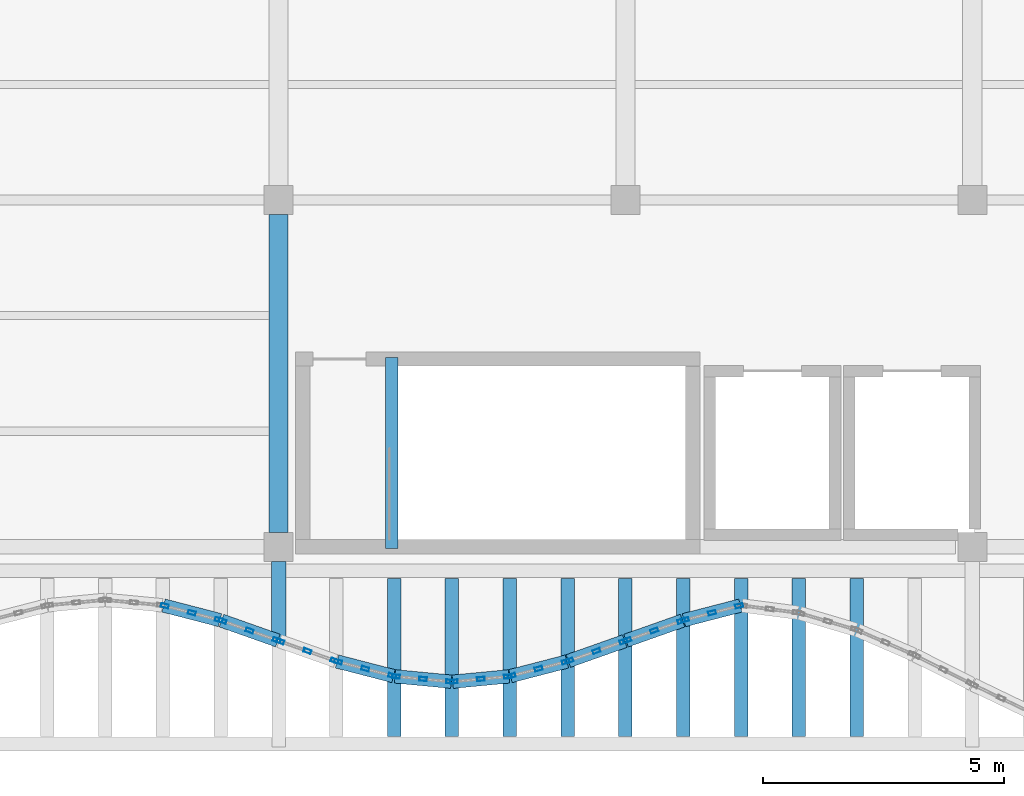
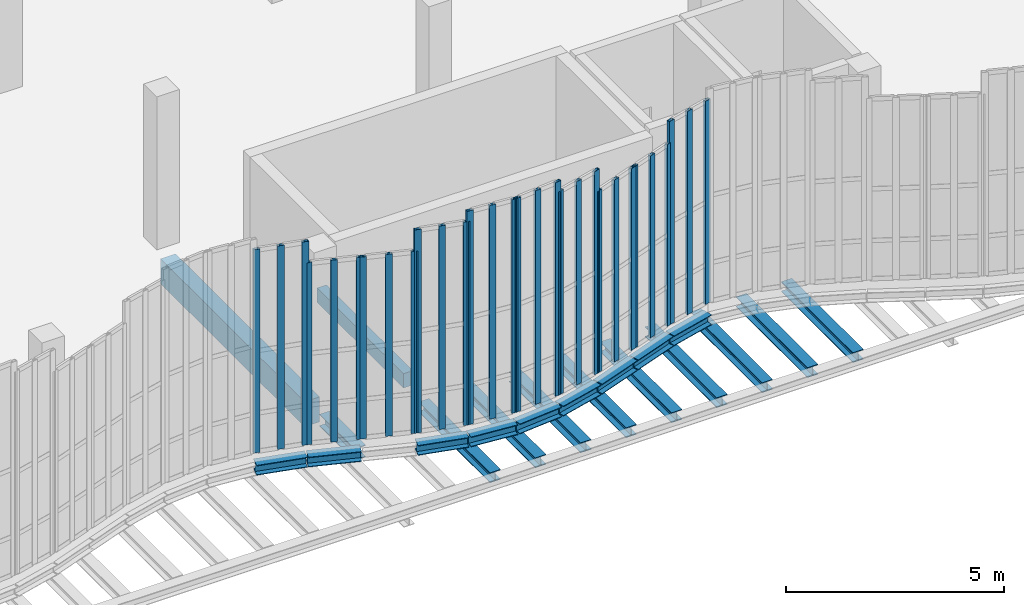
# One storey, part 11 of 76: 30 members, 21 beams, 10 elements without a shape of their own.
"""IFC4 building model written with IfcOpenShell, lengths in metres."""

from ifc_helpers import new_model, si_unit, direction, frame, origin, origin_2d, place, context, subcontext, project, spatial, rectangle, hollow_rectangle, i_section, extrude, material, layer, layer_set, material_profile, profile_set, type_object, element, aggregate, save


model = new_model("IFC4")

# Units and contexts
model_context = context("Model", 3, precision=1e-05, world=origin(), true_north=direction((0.0, 1.0)))
body_context = subcontext(model_context, "Body", "Model", "MODEL_VIEW")
ifc_project = project(units=[si_unit("LENGTHUNIT", "METRE"), si_unit("AREAUNIT", "SQUARE_METRE"), si_unit("VOLUMEUNIT", "CUBIC_METRE"), si_unit("PLANEANGLEUNIT", "RADIAN"), si_unit("MASSUNIT", "GRAM", prefix="KILO"), si_unit("THERMODYNAMICTEMPERATUREUNIT", "KELVIN"), si_unit("POWERUNIT", "WATT")], contexts=[model_context])

# Site, building, storey
site_placement = place(None, origin())
site = spatial("IfcSite", under=ifc_project, at=site_placement, CompositionType="ELEMENT")
building_placement = place(site_placement, origin())
building = spatial("IfcBuilding", under=site, at=building_placement, Name="Kaldorven Railside Theatre", CompositionType="ELEMENT")
storey_placement = place(building_placement, frame((0.0, 0.0, 14.39990234375)))
storey = spatial("IfcBuildingStorey", under=building, at=storey_placement, Name="L03", CompositionType="ELEMENT", Elevation=14.39990234375)

# Beams
ifc_material_1 = material(Name="Steel S355", Category="steel")
ifc_material_profile_1 = material_profile(ifc_material_1, i_section(OverallWidth=0.280029296875, OverallDepth=0.280029296875, WebThickness=0.010498046875, FlangeThickness=0.01806640625, at=origin_2d()), Name="HEB 280")
ifc_profile_set_1 = profile_set([ifc_material_profile_1], Name="Steel S355")
beam_type_1 = type_object("IfcBeamType", Name="BM-HEB280", PredefinedType="SPANDREL", material=ifc_profile_set_1)
beam_1_placement = place(storey_placement, frame((56.014404296875, 17.982421875, -0.419921875), z_axis=(0.967980555895, -0.25102518481, 0.0), x_axis=(0.25102518481, 0.967980555895, 0.0)))
element("IfcBeam", 1, at=beam_1_placement, inside=storey, type_object=beam_type_1, Name="L03 Sinusoidal Flute Edge Spandrel FSB-161", PredefinedType="SPANDREL", context=body_context, shape_type="SweptSolid", body=[
    extrude(i_section(OverallWidth=0.280029296875, OverallDepth=0.280029296875, WebThickness=0.010498046875, FlangeThickness=0.01806640625, at=origin_2d()), origin(), (0.0, 0.0, 1.0), 1.2099609375),
])
beam_2_placement = place(storey_placement, frame((57.214111328125, 17.669921875, -0.419921875), z_axis=(0.942627225161, -0.333847142245, 0.0), x_axis=(0.333847142245, 0.942627225161, 0.0)))
element("IfcBeam", 2, at=beam_2_placement, inside=storey, type_object=beam_type_1, Name="L03 Sinusoidal Flute Edge Spandrel FSB-162", PredefinedType="SPANDREL", context=body_context, shape_type="SweptSolid", body=[
    extrude(i_section(OverallWidth=0.280029296875, OverallDepth=0.280029296875, WebThickness=0.010498046875, FlangeThickness=0.01806640625, at=origin_2d()), origin(), (0.0, 0.0, 1.0), 1.2431640625),
])
beam_3_placement = place(storey_placement, frame((59.614501953125, 16.8212890625, -0.419921875), z_axis=(0.967967836725, -0.251074226206, 0.0), x_axis=(0.251074226206, 0.967967836725, 0.0)))
element("IfcBeam", 3, at=beam_3_placement, inside=storey, type_object=beam_type_1, Name="L03 Sinusoidal Flute Edge Spandrel FSB-164", PredefinedType="SPANDREL", context=body_context, shape_type="SweptSolid", body=[
    extrude(i_section(OverallWidth=0.280029296875, OverallDepth=0.280029296875, WebThickness=0.010498046875, FlangeThickness=0.01806640625, at=origin_2d()), origin(), (0.0, 0.0, 1.0), 1.209716796875),
])
beam_4_placement = place(storey_placement, frame((60.81494140625, 16.512451171875, -0.419921875), z_axis=(0.99552436473, -0.094505233873, 0.0), x_axis=(0.094505233873, 0.99552436473, 0.0)))
element("IfcBeam", 4, at=beam_4_placement, inside=storey, type_object=beam_type_1, Name="L03 Sinusoidal Flute Edge Spandrel FSB-165", PredefinedType="SPANDREL", context=body_context, shape_type="SweptSolid", body=[
    extrude(i_section(OverallWidth=0.280029296875, OverallDepth=0.280029296875, WebThickness=0.010498046875, FlangeThickness=0.01806640625, at=origin_2d()), origin(), (0.0, 0.0, 1.0), 1.175537109375),
])
beam_5_placement = place(storey_placement, frame((60.800048828125, 15.260009765625, -0.699951171875), z_axis=(0.0, 1.0, 0.0), x_axis=(-1.0, 0.0, 0.0)))
element("IfcBeam", 5, at=beam_5_placement, inside=storey, type_object=beam_type_1, Name="L03 Sinusoidal Diaphragm Rib Outrigger FOB-M165", PredefinedType="SPANDREL", context=body_context, shape_type="SweptSolid", body=[
    extrude(i_section(OverallWidth=0.280029296875, OverallDepth=0.280029296875, WebThickness=0.010498046875, FlangeThickness=0.01806640625, at=origin_2d()), origin(), (0.0, 0.0, 1.0), 3.280029296875),
])
beam_6_placement = place(storey_placement, frame((62.014892578125, 16.4013671875, -0.419921875), z_axis=(0.99552436473, 0.094505233873, 0.0), x_axis=(-0.094505233873, 0.99552436473, 0.0)))
element("IfcBeam", 6, at=beam_6_placement, inside=storey, type_object=beam_type_1, Name="L03 Sinusoidal Flute Edge Spandrel FSB-166", PredefinedType="SPANDREL", context=body_context, shape_type="SweptSolid", body=[
    extrude(i_section(OverallWidth=0.280029296875, OverallDepth=0.280029296875, WebThickness=0.010498046875, FlangeThickness=0.01806640625, at=origin_2d()), origin(), (0.0, 0.0, 1.0), 1.175537109375),
])
beam_7_placement = place(storey_placement, frame((62.0, 15.260009765625, -0.699951171875), z_axis=(0.0, 1.0, 0.0), x_axis=(-1.0, 0.0, 0.0)))
element("IfcBeam", 7, at=beam_7_placement, inside=storey, type_object=beam_type_1, Name="L03 Sinusoidal Diaphragm Rib Outrigger FOB-M166", PredefinedType="SPANDREL", context=body_context, shape_type="SweptSolid", body=[
    extrude(i_section(OverallWidth=0.280029296875, OverallDepth=0.280029296875, WebThickness=0.010498046875, FlangeThickness=0.01806640625, at=origin_2d()), origin(), (0.0, 0.0, 1.0), 3.280029296875),
])
beam_8_placement = place(storey_placement, frame((63.214599609375, 16.517578125, -0.419921875), z_axis=(0.967967836725, 0.251074226206, 0.0), x_axis=(-0.251074226206, 0.967967836725, 0.0)))
element("IfcBeam", 8, at=beam_8_placement, inside=storey, type_object=beam_type_1, Name="L03 Sinusoidal Flute Edge Spandrel FSB-167", PredefinedType="SPANDREL", context=body_context, shape_type="SweptSolid", body=[
    extrude(i_section(OverallWidth=0.280029296875, OverallDepth=0.280029296875, WebThickness=0.010498046875, FlangeThickness=0.01806640625, at=origin_2d()), origin(), (0.0, 0.0, 1.0), 1.209716796875),
])
beam_9_placement = place(storey_placement, frame((63.199951171875, 15.260009765625, -0.699951171875), z_axis=(0.0, 1.0, 0.0), x_axis=(-1.0, 0.0, 0.0)))
element("IfcBeam", 9, at=beam_9_placement, inside=storey, type_object=beam_type_1, Name="L03 Sinusoidal Diaphragm Rib Outrigger FOB-M167", PredefinedType="SPANDREL", context=body_context, shape_type="SweptSolid", body=[
    extrude(i_section(OverallWidth=0.280029296875, OverallDepth=0.280029296875, WebThickness=0.010498046875, FlangeThickness=0.01806640625, at=origin_2d()), origin(), (0.0, 0.0, 1.0), 3.280029296875),
])
beam_10_placement = place(storey_placement, frame((64.4140625, 16.830078125, -0.419921875), z_axis=(0.942627225161, 0.333847142245, 0.0), x_axis=(-0.333847142245, 0.942627225161, 0.0)))
element("IfcBeam", 10, at=beam_10_placement, inside=storey, type_object=beam_type_1, Name="L03 Sinusoidal Flute Edge Spandrel FSB-168", PredefinedType="SPANDREL", context=body_context, shape_type="SweptSolid", body=[
    extrude(i_section(OverallWidth=0.280029296875, OverallDepth=0.280029296875, WebThickness=0.010498046875, FlangeThickness=0.01806640625, at=origin_2d()), origin(), (0.0, 0.0, 1.0), 1.2431640625),
])
beam_11_placement = place(storey_placement, frame((64.39990234375, 15.260009765625, -0.699951171875), z_axis=(0.0, 1.0, 0.0), x_axis=(-1.0, 0.0, 0.0)))
element("IfcBeam", 11, at=beam_11_placement, inside=storey, type_object=beam_type_1, Name="L03 Sinusoidal Diaphragm Rib Outrigger FOB-M168", PredefinedType="SPANDREL", context=body_context, shape_type="SweptSolid", body=[
    extrude(i_section(OverallWidth=0.280029296875, OverallDepth=0.280029296875, WebThickness=0.010498046875, FlangeThickness=0.01806640625, at=origin_2d()), origin(), (0.0, 0.0, 1.0), 3.280029296875),
])
beam_12_placement = place(storey_placement, frame((65.614013671875, 17.2548828125, -0.419921875), z_axis=(0.942627225161, 0.333847142245, 0.0), x_axis=(-0.333847142245, 0.942627225161, 0.0)))
element("IfcBeam", 12, at=beam_12_placement, inside=storey, type_object=beam_type_1, Name="L03 Sinusoidal Flute Edge Spandrel FSB-169", PredefinedType="SPANDREL", context=body_context, shape_type="SweptSolid", body=[
    extrude(i_section(OverallWidth=0.280029296875, OverallDepth=0.280029296875, WebThickness=0.010498046875, FlangeThickness=0.01806640625, at=origin_2d()), origin(), (0.0, 0.0, 1.0), 1.2431640625),
])
beam_13_placement = place(storey_placement, frame((65.60009765625, 15.260009765625, -0.699951171875), z_axis=(0.0, 1.0, 0.0), x_axis=(-1.0, 0.0, 0.0)))
element("IfcBeam", 13, at=beam_13_placement, inside=storey, type_object=beam_type_1, Name="L03 Sinusoidal Diaphragm Rib Outrigger FOB-M169", PredefinedType="SPANDREL", context=body_context, shape_type="SweptSolid", body=[
    extrude(i_section(OverallWidth=0.280029296875, OverallDepth=0.280029296875, WebThickness=0.010498046875, FlangeThickness=0.01806640625, at=origin_2d()), origin(), (0.0, 0.0, 1.0), 3.280029296875),
])
beam_14_placement = place(storey_placement, frame((66.814453125, 17.6787109375, -0.419921875), z_axis=(0.967980555895, 0.25102518481, 0.0), x_axis=(-0.25102518481, 0.967980555895, 0.0)))
element("IfcBeam", 14, at=beam_14_placement, inside=storey, type_object=beam_type_1, Name="L03 Sinusoidal Flute Edge Spandrel FSB-170", PredefinedType="SPANDREL", context=body_context, shape_type="SweptSolid", body=[
    extrude(i_section(OverallWidth=0.280029296875, OverallDepth=0.280029296875, WebThickness=0.010498046875, FlangeThickness=0.01806640625, at=origin_2d()), origin(), (0.0, 0.0, 1.0), 1.2099609375),
])
for number, where, z_axis, x_axis, name in (
    (15, (66.800048828125, 15.260009765625, -0.699951171875), (0.0, 1.0, 0.0), (-1.0, 0.0, 0.0), "L03 Sinusoidal Diaphragm Rib Outrigger FOB-M170"),
    (16, (68.0, 15.260009765625, -0.699951171875), (0.0, 1.0, 0.0), (-1.0, 0.0, 0.0), "L03 Sinusoidal Diaphragm Rib Outrigger FOB-M171"),
    (17, (69.199951171875, 15.260009765625, -0.699951171875), (0.0, 1.0, 0.0), (-1.0, 0.0, 0.0), "L03 Sinusoidal Diaphragm Rib Outrigger FOB-M172"),
    (18, (70.39990234375, 15.260009765625, -0.699951171875), (0.0, 1.0, 0.0), (-1.0, 0.0, 0.0), "L03 Sinusoidal Diaphragm Rib Outrigger FOB-M173"),
):
    element("IfcBeam", number, at=place(storey_placement, frame(where, z_axis=z_axis, x_axis=x_axis)), inside=storey, type_object=beam_type_1, Name=name, PredefinedType="SPANDREL", context=body_context, shape_type="SweptSolid", body=[
        extrude(i_section(OverallWidth=0.280029296875, OverallDepth=0.280029296875, WebThickness=0.010498046875, FlangeThickness=0.01806640625, at=origin_2d()), origin(), (0.0, 0.0, 1.0), 3.280029296875),
    ])
ifc_material_profile_2 = material_profile(ifc_material_1, i_section(OverallWidth=0.300048828125, OverallDepth=0.340087890625, WebThickness=0.011962890625, FlangeThickness=0.021484375, at=origin_2d()), Name="HEB 340")
ifc_profile_set_2 = profile_set([ifc_material_profile_2], Name="Steel S355")
beam_type_2 = type_object("IfcBeamType", Name="BM-HEB340", PredefinedType="SPANDREL", material=ifc_profile_set_2)
beam_15_placement = place(storey_placement, frame((58.39990234375, 17.31005859375, -0.449951171875), z_axis=(0.0, 1.0, 0.0), x_axis=(-1.0, 0.0, 0.0)))
element("IfcBeam", 19, at=beam_15_placement, inside=storey, type_object=beam_type_2, Name="L03 Sinusoidal Veil Outrigger FOB-3058", PredefinedType="SPANDREL", context=body_context, shape_type="SweptSolid", body=[
    extrude(i_section(OverallWidth=0.300048828125, OverallDepth=0.340087890625, WebThickness=0.011962890625, FlangeThickness=0.021484375, at=origin_2d()), origin(), (0.0, 0.0, 1.0), 1.58984375),
])
ifc_material_2 = material(Name="Concrete C40/50", Category="concrete")
ifc_material_profile_3 = material_profile(ifc_material_2, rectangle(XDim=0.25, YDim=0.39990234375, at=origin_2d()), Name="RC 250x400")
ifc_profile_set_3 = profile_set([ifc_material_profile_3], Name="Concrete C40/50")
beam_type_3 = type_object("IfcBeamType", Name="BM-RC250x400", PredefinedType="LINTEL", material=ifc_profile_set_3)
beam_16_placement = place(storey_placement, frame((60.75, 19.169921875, -0.344970703125), z_axis=(0.0, 1.0, 0.0), x_axis=(-1.0, 0.0, 0.0)))
element("IfcBeam", 20, at=beam_16_placement, inside=storey, type_object=beam_type_3, Name="Stair ST-03 L03 Landing Trimmer Beam", PredefinedType="LINTEL", context=body_context, shape_type="SweptSolid", body=[
    extrude(rectangle(XDim=0.25, YDim=0.39990234375, at=origin_2d()), origin(), (0.0, 0.0, 1.0), 3.9599609375),
])
ifc_material_profile_4 = material_profile(ifc_material_2, rectangle(XDim=0.39990234375, YDim=0.699951171875, at=origin_2d()), Name="RC 400x700")
ifc_profile_set_4 = profile_set([ifc_material_profile_4], Name="Concrete C40/50")
beam_type_4 = type_object("IfcBeamType", Name="BM-RC400x700", PredefinedType="BEAM", material=ifc_profile_set_4)
beam_17_placement = place(storey_placement, frame((58.39990234375, 19.5, -0.6298828125), z_axis=(0.0, 1.0, 0.0), x_axis=(-1.0, 0.0, 0.0)))
element("IfcBeam", 21, at=beam_17_placement, inside=storey, type_object=beam_type_4, Name="L03 Girder BGY-L03-058-019-72", PredefinedType="BEAM", context=body_context, shape_type="SweptSolid", body=[
    extrude(rectangle(XDim=0.39990234375, YDim=0.699951171875, at=origin_2d()), origin(), (0.0, 0.0, 1.0), 6.60009765625),
])

# Curtain wall, members
ifc_material_3 = material(Name="Low-E laminated solar-control glass", Category="glass")
ifc_layer_1 = layer(ifc_material_3, 0.159912109375, Name="Low-E laminated solar-control glass")
ifc_layer_set_1 = layer_set([ifc_layer_1], Name="Low-E laminated solar-control glass")
curtain_wall_type_1 = type_object("IfcCurtainWallType", Name="CWT-09", PredefinedType="USERDEFINED", material=ifc_layer_set_1)
curtain_wall_1_placement = place(storey_placement, origin())
curtain_wall_1 = element("IfcCurtainWall", 22, at=curtain_wall_1_placement, inside=storey, type_object=curtain_wall_type_1, Name="Sinusoidal Fluted Curtain Wall CW-L03-S17", ObjectType="FLUTED GLAZING", PredefinedType="USERDEFINED")
ifc_material_4 = material(Name="Anodised bronze aluminium", Category="aluminium")
ifc_material_profile_5 = material_profile(ifc_material_4, hollow_rectangle(XDim=0.080078125, YDim=0.159912109375, WallThickness=0.00634765625, at=origin_2d()), Name="RHS 160x80x6.3")
ifc_profile_set_5 = profile_set([ifc_material_profile_5], Name="Anodised bronze aluminium")
member_type = type_object("IfcMemberType", Name="CWM-160", PredefinedType="MULLION", material=ifc_profile_set_5)
member_1_placement = place(storey_placement, frame((56.038818359375, 17.97607421875, 0.0), z_axis=(0.0, 0.0, 1.0), x_axis=(0.250953760326, 0.967999075505, 0.0)))
member_1 = element("IfcMember", 23, at=member_1_placement, type_object=member_type, Name="CW-L03-S17 mullion 1", PredefinedType="MULLION", context=body_context, shape_type="SweptSolid", body=[
    extrude(hollow_rectangle(XDim=0.080078125, YDim=0.159912109375, WallThickness=0.00634765625, at=origin_2d()), origin(), (0.0, 0.0, 1.0), 5.690185546875),
])
member_2_placement = place(storey_placement, frame((56.60009765625, 17.83056640625, 0.0), z_axis=(0.0, 0.0, 1.0), x_axis=(0.250953760326, 0.967999075505, 0.0)))
member_2 = element("IfcMember", 24, at=member_2_placement, type_object=member_type, Name="CW-L03-S17 mullion 2", PredefinedType="MULLION", context=body_context, shape_type="SweptSolid", body=[
    extrude(hollow_rectangle(XDim=0.080078125, YDim=0.159912109375, WallThickness=0.00634765625, at=origin_2d()), origin(), (0.0, 0.0, 1.0), 5.690185546875),
])
member_3_placement = place(storey_placement, frame((57.161376953125, 17.68505859375, 0.0), z_axis=(0.0, 0.0, 1.0), x_axis=(0.250953760326, 0.967999075505, 0.0)))
member_3 = element("IfcMember", 25, at=member_3_placement, type_object=member_type, Name="CW-L03-S17 mullion 3", PredefinedType="MULLION", context=body_context, shape_type="SweptSolid", body=[
    extrude(hollow_rectangle(XDim=0.080078125, YDim=0.159912109375, WallThickness=0.00634765625, at=origin_2d()), origin(), (0.0, 0.0, 1.0), 5.690185546875),
])
aggregate(curtain_wall_1, [member_1, member_2, member_3])

ifc_layer_2 = layer(ifc_material_3, 0.159912109375, Name="Low-E laminated solar-control glass")
ifc_layer_set_2 = layer_set([ifc_layer_2], Name="Low-E laminated solar-control glass")
curtain_wall_type_2 = type_object("IfcCurtainWallType", Name="CWT-08", PredefinedType="USERDEFINED", material=ifc_layer_set_2)
curtain_wall_2_placement = place(storey_placement, origin())
curtain_wall_2 = element("IfcCurtainWall", 26, at=curtain_wall_2_placement, inside=storey, type_object=curtain_wall_type_2, Name="Sinusoidal Fluted Curtain Wall CW-L03-S18", ObjectType="FLUTED GLAZING", PredefinedType="USERDEFINED")
member_4_placement = place(storey_placement, frame((57.23779296875, 17.66162109375, 0.0), z_axis=(0.0, 0.0, 1.0), x_axis=(0.33384714225, 0.942627225159, 0.0)))
member_4 = element("IfcMember", 27, at=member_4_placement, type_object=member_type, Name="CW-L03-S18 mullion 1", PredefinedType="MULLION", context=body_context, shape_type="SweptSolid", body=[
    extrude(hollow_rectangle(XDim=0.080078125, YDim=0.159912109375, WallThickness=0.00634765625, at=origin_2d()), origin(), (0.0, 0.0, 1.0), 5.090087890625),
])
member_5_placement = place(storey_placement, frame((57.800048828125, 17.46240234375, 0.0), z_axis=(0.0, 0.0, 1.0), x_axis=(0.33384714225, 0.942627225159, 0.0)))
member_5 = element("IfcMember", 28, at=member_5_placement, type_object=member_type, Name="CW-L03-S18 mullion 2", PredefinedType="MULLION", context=body_context, shape_type="SweptSolid", body=[
    extrude(hollow_rectangle(XDim=0.080078125, YDim=0.159912109375, WallThickness=0.00634765625, at=origin_2d()), origin(), (0.0, 0.0, 1.0), 5.090087890625),
])
member_6_placement = place(storey_placement, frame((58.3623046875, 17.263427734375, 0.0), z_axis=(0.0, 0.0, 1.0), x_axis=(0.33384714225, 0.942627225159, 0.0)))
member_6 = element("IfcMember", 29, at=member_6_placement, type_object=member_type, Name="CW-L03-S18 mullion 3", PredefinedType="MULLION", context=body_context, shape_type="SweptSolid", body=[
    extrude(hollow_rectangle(XDim=0.080078125, YDim=0.159912109375, WallThickness=0.00634765625, at=origin_2d()), origin(), (0.0, 0.0, 1.0), 5.090087890625),
])
aggregate(curtain_wall_2, [member_4, member_5, member_6])

curtain_wall_3_placement = place(storey_placement, origin())
curtain_wall_3 = element("IfcCurtainWall", 30, at=curtain_wall_3_placement, inside=storey, type_object=curtain_wall_type_2, Name="Sinusoidal Fluted Curtain Wall CW-L03-S19", ObjectType="FLUTED GLAZING", PredefinedType="USERDEFINED")
member_7_placement = place(storey_placement, frame((58.437744140625, 17.236572265625, 0.0), z_axis=(0.0, 0.0, 1.0), x_axis=(0.33384714225, 0.942627225159, 0.0)))
member_7 = element("IfcMember", 31, at=member_7_placement, type_object=member_type, Name="CW-L03-S19 mullion 1", PredefinedType="MULLION", context=body_context, shape_type="SweptSolid", body=[
    extrude(hollow_rectangle(XDim=0.080078125, YDim=0.159912109375, WallThickness=0.00634765625, at=origin_2d()), origin(), (0.0, 0.0, 1.0), 5.090087890625),
])
member_8_placement = place(storey_placement, frame((59.0, 17.03759765625, 0.0), z_axis=(0.0, 0.0, 1.0), x_axis=(0.33384714225, 0.942627225159, 0.0)))
member_8 = element("IfcMember", 32, at=member_8_placement, type_object=member_type, Name="CW-L03-S19 mullion 2", PredefinedType="MULLION", context=body_context, shape_type="SweptSolid", body=[
    extrude(hollow_rectangle(XDim=0.080078125, YDim=0.159912109375, WallThickness=0.00634765625, at=origin_2d()), origin(), (0.0, 0.0, 1.0), 5.090087890625),
])
member_9_placement = place(storey_placement, frame((59.562255859375, 16.83837890625, 0.0), z_axis=(0.0, 0.0, 1.0), x_axis=(0.33384714225, 0.942627225159, 0.0)))
member_9 = element("IfcMember", 33, at=member_9_placement, type_object=member_type, Name="CW-L03-S19 mullion 3", PredefinedType="MULLION", context=body_context, shape_type="SweptSolid", body=[
    extrude(hollow_rectangle(XDim=0.080078125, YDim=0.159912109375, WallThickness=0.00634765625, at=origin_2d()), origin(), (0.0, 0.0, 1.0), 5.090087890625),
])
aggregate(curtain_wall_3, [member_7, member_8, member_9])

curtain_wall_4_placement = place(storey_placement, origin())
curtain_wall_4 = element("IfcCurtainWall", 34, at=curtain_wall_4_placement, inside=storey, type_object=curtain_wall_type_1, Name="Sinusoidal Fluted Curtain Wall CW-L03-S20", ObjectType="FLUTED GLAZING", PredefinedType="USERDEFINED")
member_10_placement = place(storey_placement, frame((59.638671875, 16.81494140625, 0.0), z_axis=(0.0, 0.0, 1.0), x_axis=(0.250953760326, 0.967999075505, 0.0)))
member_10 = element("IfcMember", 35, at=member_10_placement, type_object=member_type, Name="CW-L03-S20 mullion 1", PredefinedType="MULLION", context=body_context, shape_type="SweptSolid", body=[
    extrude(hollow_rectangle(XDim=0.080078125, YDim=0.159912109375, WallThickness=0.00634765625, at=origin_2d()), origin(), (0.0, 0.0, 1.0), 5.690185546875),
])
member_11_placement = place(storey_placement, frame((60.199951171875, 16.66943359375, 0.0), z_axis=(0.0, 0.0, 1.0), x_axis=(0.250953760326, 0.967999075505, 0.0)))
member_11 = element("IfcMember", 36, at=member_11_placement, type_object=member_type, Name="CW-L03-S20 mullion 2", PredefinedType="MULLION", context=body_context, shape_type="SweptSolid", body=[
    extrude(hollow_rectangle(XDim=0.080078125, YDim=0.159912109375, WallThickness=0.00634765625, at=origin_2d()), origin(), (0.0, 0.0, 1.0), 5.690185546875),
])
member_12_placement = place(storey_placement, frame((60.76123046875, 16.52392578125, 0.0), z_axis=(0.0, 0.0, 1.0), x_axis=(0.250953760326, 0.967999075505, 0.0)))
member_12 = element("IfcMember", 37, at=member_12_placement, type_object=member_type, Name="CW-L03-S20 mullion 3", PredefinedType="MULLION", context=body_context, shape_type="SweptSolid", body=[
    extrude(hollow_rectangle(XDim=0.080078125, YDim=0.159912109375, WallThickness=0.00634765625, at=origin_2d()), origin(), (0.0, 0.0, 1.0), 5.690185546875),
])
aggregate(curtain_wall_4, [member_10, member_11, member_12])

ifc_layer_3 = layer(ifc_material_3, 0.159912109375, Name="Low-E laminated solar-control glass")
ifc_layer_set_3 = layer_set([ifc_layer_3], Name="Low-E laminated solar-control glass")
curtain_wall_type_3 = type_object("IfcCurtainWallType", Name="CWT-10", PredefinedType="USERDEFINED", material=ifc_layer_set_3)
curtain_wall_5_placement = place(storey_placement, origin())
curtain_wall_5 = element("IfcCurtainWall", 38, at=curtain_wall_5_placement, inside=storey, type_object=curtain_wall_type_3, Name="Sinusoidal Fluted Curtain Wall CW-L03-S21", ObjectType="FLUTED GLAZING", PredefinedType="USERDEFINED")
member_13_placement = place(storey_placement, frame((60.83984375, 16.510009765625, 0.0), z_axis=(0.0, 0.0, 1.0), x_axis=(0.094491973758, 0.995525623425, 0.0)))
member_13 = element("IfcMember", 39, at=member_13_placement, type_object=member_type, Name="CW-L03-S21 mullion 1", PredefinedType="MULLION", context=body_context, shape_type="SweptSolid", body=[
    extrude(hollow_rectangle(XDim=0.080078125, YDim=0.159912109375, WallThickness=0.00634765625, at=origin_2d()), origin(), (0.0, 0.0, 1.0), 5.97998046875),
])
member_14_placement = place(storey_placement, frame((61.39990234375, 16.45703125, 0.0), z_axis=(0.0, 0.0, 1.0), x_axis=(0.094491973758, 0.995525623425, 0.0)))
member_14 = element("IfcMember", 40, at=member_14_placement, type_object=member_type, Name="CW-L03-S21 mullion 2", PredefinedType="MULLION", context=body_context, shape_type="SweptSolid", body=[
    extrude(hollow_rectangle(XDim=0.080078125, YDim=0.159912109375, WallThickness=0.00634765625, at=origin_2d()), origin(), (0.0, 0.0, 1.0), 5.97998046875),
])
member_15_placement = place(storey_placement, frame((61.960205078125, 16.40380859375, 0.0), z_axis=(0.0, 0.0, 1.0), x_axis=(0.094491973758, 0.995525623425, 0.0)))
member_15 = element("IfcMember", 41, at=member_15_placement, type_object=member_type, Name="CW-L03-S21 mullion 3", PredefinedType="MULLION", context=body_context, shape_type="SweptSolid", body=[
    extrude(hollow_rectangle(XDim=0.080078125, YDim=0.159912109375, WallThickness=0.00634765625, at=origin_2d()), origin(), (0.0, 0.0, 1.0), 5.97998046875),
])
aggregate(curtain_wall_5, [member_13, member_14, member_15])

curtain_wall_6_placement = place(storey_placement, origin())
curtain_wall_6 = element("IfcCurtainWall", 42, at=curtain_wall_6_placement, inside=storey, type_object=curtain_wall_type_3, Name="Sinusoidal Fluted Curtain Wall CW-L03-S22", ObjectType="FLUTED GLAZING", PredefinedType="USERDEFINED")
member_16_placement = place(storey_placement, frame((62.039794921875, 16.40380859375, 0.0), z_axis=(0.0, 0.0, 1.0), x_axis=(-0.094491973758, 0.995525623425, 0.0)))
member_16 = element("IfcMember", 43, at=member_16_placement, type_object=member_type, Name="CW-L03-S22 mullion 1", PredefinedType="MULLION", context=body_context, shape_type="SweptSolid", body=[
    extrude(hollow_rectangle(XDim=0.080078125, YDim=0.159912109375, WallThickness=0.00634765625, at=origin_2d()), origin(), (0.0, 0.0, 1.0), 5.97998046875),
])
member_17_placement = place(storey_placement, frame((62.60009765625, 16.45703125, 0.0), z_axis=(0.0, 0.0, 1.0), x_axis=(-0.094491973758, 0.995525623425, 0.0)))
member_17 = element("IfcMember", 44, at=member_17_placement, type_object=member_type, Name="CW-L03-S22 mullion 2", PredefinedType="MULLION", context=body_context, shape_type="SweptSolid", body=[
    extrude(hollow_rectangle(XDim=0.080078125, YDim=0.159912109375, WallThickness=0.00634765625, at=origin_2d()), origin(), (0.0, 0.0, 1.0), 5.97998046875),
])
member_18_placement = place(storey_placement, frame((63.16015625, 16.510009765625, 0.0), z_axis=(0.0, 0.0, 1.0), x_axis=(-0.094491973758, 0.995525623425, 0.0)))
member_18 = element("IfcMember", 45, at=member_18_placement, type_object=member_type, Name="CW-L03-S22 mullion 3", PredefinedType="MULLION", context=body_context, shape_type="SweptSolid", body=[
    extrude(hollow_rectangle(XDim=0.080078125, YDim=0.159912109375, WallThickness=0.00634765625, at=origin_2d()), origin(), (0.0, 0.0, 1.0), 5.97998046875),
])
aggregate(curtain_wall_6, [member_16, member_17, member_18])

curtain_wall_7_placement = place(storey_placement, origin())
curtain_wall_7 = element("IfcCurtainWall", 46, at=curtain_wall_7_placement, inside=storey, type_object=curtain_wall_type_1, Name="Sinusoidal Fluted Curtain Wall CW-L03-S23", ObjectType="FLUTED GLAZING", PredefinedType="USERDEFINED")
member_19_placement = place(storey_placement, frame((63.23876953125, 16.52392578125, 0.0), z_axis=(0.0, 0.0, 1.0), x_axis=(-0.250953760326, 0.967999075505, 0.0)))
member_19 = element("IfcMember", 47, at=member_19_placement, type_object=member_type, Name="CW-L03-S23 mullion 1", PredefinedType="MULLION", context=body_context, shape_type="SweptSolid", body=[
    extrude(hollow_rectangle(XDim=0.080078125, YDim=0.159912109375, WallThickness=0.00634765625, at=origin_2d()), origin(), (0.0, 0.0, 1.0), 5.690185546875),
])
member_20_placement = place(storey_placement, frame((63.800048828125, 16.66943359375, 0.0), z_axis=(0.0, 0.0, 1.0), x_axis=(-0.250953760326, 0.967999075505, 0.0)))
member_20 = element("IfcMember", 48, at=member_20_placement, type_object=member_type, Name="CW-L03-S23 mullion 2", PredefinedType="MULLION", context=body_context, shape_type="SweptSolid", body=[
    extrude(hollow_rectangle(XDim=0.080078125, YDim=0.159912109375, WallThickness=0.00634765625, at=origin_2d()), origin(), (0.0, 0.0, 1.0), 5.690185546875),
])
member_21_placement = place(storey_placement, frame((64.361328125, 16.81494140625, 0.0), z_axis=(0.0, 0.0, 1.0), x_axis=(-0.250953760326, 0.967999075505, 0.0)))
member_21 = element("IfcMember", 49, at=member_21_placement, type_object=member_type, Name="CW-L03-S23 mullion 3", PredefinedType="MULLION", context=body_context, shape_type="SweptSolid", body=[
    extrude(hollow_rectangle(XDim=0.080078125, YDim=0.159912109375, WallThickness=0.00634765625, at=origin_2d()), origin(), (0.0, 0.0, 1.0), 5.690185546875),
])
aggregate(curtain_wall_7, [member_19, member_20, member_21])

curtain_wall_8_placement = place(storey_placement, origin())
curtain_wall_8 = element("IfcCurtainWall", 50, at=curtain_wall_8_placement, inside=storey, type_object=curtain_wall_type_2, Name="Sinusoidal Fluted Curtain Wall CW-L03-S24", ObjectType="FLUTED GLAZING", PredefinedType="USERDEFINED")
member_22_placement = place(storey_placement, frame((64.437744140625, 16.83837890625, 0.0), z_axis=(0.0, 0.0, 1.0), x_axis=(-0.33384714225, 0.942627225159, 0.0)))
member_22 = element("IfcMember", 51, at=member_22_placement, type_object=member_type, Name="CW-L03-S24 mullion 1", PredefinedType="MULLION", context=body_context, shape_type="SweptSolid", body=[
    extrude(hollow_rectangle(XDim=0.080078125, YDim=0.159912109375, WallThickness=0.00634765625, at=origin_2d()), origin(), (0.0, 0.0, 1.0), 5.090087890625),
])
member_23_placement = place(storey_placement, frame((65.0, 17.03759765625, 0.0), z_axis=(0.0, 0.0, 1.0), x_axis=(-0.33384714225, 0.942627225159, 0.0)))
member_23 = element("IfcMember", 52, at=member_23_placement, type_object=member_type, Name="CW-L03-S24 mullion 2", PredefinedType="MULLION", context=body_context, shape_type="SweptSolid", body=[
    extrude(hollow_rectangle(XDim=0.080078125, YDim=0.159912109375, WallThickness=0.00634765625, at=origin_2d()), origin(), (0.0, 0.0, 1.0), 5.090087890625),
])
member_24_placement = place(storey_placement, frame((65.562255859375, 17.236572265625, 0.0), z_axis=(0.0, 0.0, 1.0), x_axis=(-0.33384714225, 0.942627225159, 0.0)))
member_24 = element("IfcMember", 53, at=member_24_placement, type_object=member_type, Name="CW-L03-S24 mullion 3", PredefinedType="MULLION", context=body_context, shape_type="SweptSolid", body=[
    extrude(hollow_rectangle(XDim=0.080078125, YDim=0.159912109375, WallThickness=0.00634765625, at=origin_2d()), origin(), (0.0, 0.0, 1.0), 5.090087890625),
])
aggregate(curtain_wall_8, [member_22, member_23, member_24])

curtain_wall_9_placement = place(storey_placement, origin())
curtain_wall_9 = element("IfcCurtainWall", 54, at=curtain_wall_9_placement, inside=storey, type_object=curtain_wall_type_2, Name="Sinusoidal Fluted Curtain Wall CW-L03-S25", ObjectType="FLUTED GLAZING", PredefinedType="USERDEFINED")
member_25_placement = place(storey_placement, frame((65.6376953125, 17.263427734375, 0.0), z_axis=(0.0, 0.0, 1.0), x_axis=(-0.33384714225, 0.942627225159, 0.0)))
member_25 = element("IfcMember", 55, at=member_25_placement, type_object=member_type, Name="CW-L03-S25 mullion 1", PredefinedType="MULLION", context=body_context, shape_type="SweptSolid", body=[
    extrude(hollow_rectangle(XDim=0.080078125, YDim=0.159912109375, WallThickness=0.00634765625, at=origin_2d()), origin(), (0.0, 0.0, 1.0), 5.090087890625),
])
member_26_placement = place(storey_placement, frame((66.199951171875, 17.46240234375, 0.0), z_axis=(0.0, 0.0, 1.0), x_axis=(-0.33384714225, 0.942627225159, 0.0)))
member_26 = element("IfcMember", 56, at=member_26_placement, type_object=member_type, Name="CW-L03-S25 mullion 2", PredefinedType="MULLION", context=body_context, shape_type="SweptSolid", body=[
    extrude(hollow_rectangle(XDim=0.080078125, YDim=0.159912109375, WallThickness=0.00634765625, at=origin_2d()), origin(), (0.0, 0.0, 1.0), 5.090087890625),
])
member_27_placement = place(storey_placement, frame((66.76220703125, 17.66162109375, 0.0), z_axis=(0.0, 0.0, 1.0), x_axis=(-0.33384714225, 0.942627225159, 0.0)))
member_27 = element("IfcMember", 57, at=member_27_placement, type_object=member_type, Name="CW-L03-S25 mullion 3", PredefinedType="MULLION", context=body_context, shape_type="SweptSolid", body=[
    extrude(hollow_rectangle(XDim=0.080078125, YDim=0.159912109375, WallThickness=0.00634765625, at=origin_2d()), origin(), (0.0, 0.0, 1.0), 5.090087890625),
])
aggregate(curtain_wall_9, [member_25, member_26, member_27])

curtain_wall_10_placement = place(storey_placement, origin())
curtain_wall_10 = element("IfcCurtainWall", 58, at=curtain_wall_10_placement, inside=storey, type_object=curtain_wall_type_1, Name="Sinusoidal Fluted Curtain Wall CW-L03-S26", ObjectType="FLUTED GLAZING", PredefinedType="USERDEFINED")
member_28_placement = place(storey_placement, frame((66.838623046875, 17.68505859375, 0.0), z_axis=(0.0, 0.0, 1.0), x_axis=(-0.250953760326, 0.967999075505, 0.0)))
member_28 = element("IfcMember", 59, at=member_28_placement, type_object=member_type, Name="CW-L03-S26 mullion 1", PredefinedType="MULLION", context=body_context, shape_type="SweptSolid", body=[
    extrude(hollow_rectangle(XDim=0.080078125, YDim=0.159912109375, WallThickness=0.00634765625, at=origin_2d()), origin(), (0.0, 0.0, 1.0), 5.690185546875),
])
member_29_placement = place(storey_placement, frame((67.39990234375, 17.83056640625, 0.0), z_axis=(0.0, 0.0, 1.0), x_axis=(-0.250953760326, 0.967999075505, 0.0)))
member_29 = element("IfcMember", 60, at=member_29_placement, type_object=member_type, Name="CW-L03-S26 mullion 2", PredefinedType="MULLION", context=body_context, shape_type="SweptSolid", body=[
    extrude(hollow_rectangle(XDim=0.080078125, YDim=0.159912109375, WallThickness=0.00634765625, at=origin_2d()), origin(), (0.0, 0.0, 1.0), 5.690185546875),
])
member_30_placement = place(storey_placement, frame((67.961181640625, 17.97607421875, 0.0), z_axis=(0.0, 0.0, 1.0), x_axis=(-0.250953760326, 0.967999075505, 0.0)))
member_30 = element("IfcMember", 61, at=member_30_placement, type_object=member_type, Name="CW-L03-S26 mullion 3", PredefinedType="MULLION", context=body_context, shape_type="SweptSolid", body=[
    extrude(hollow_rectangle(XDim=0.080078125, YDim=0.159912109375, WallThickness=0.00634765625, at=origin_2d()), origin(), (0.0, 0.0, 1.0), 5.690185546875),
])
aggregate(curtain_wall_10, [member_28, member_29, member_30])

save(model, "model.ifc")
